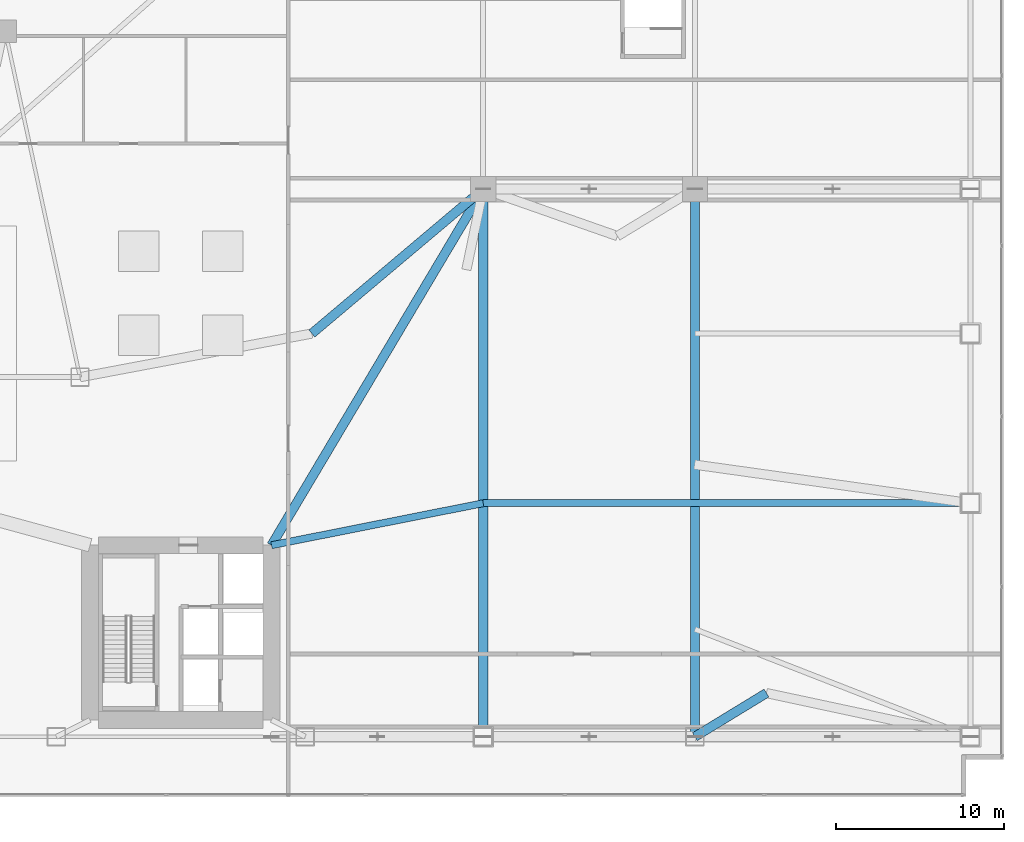
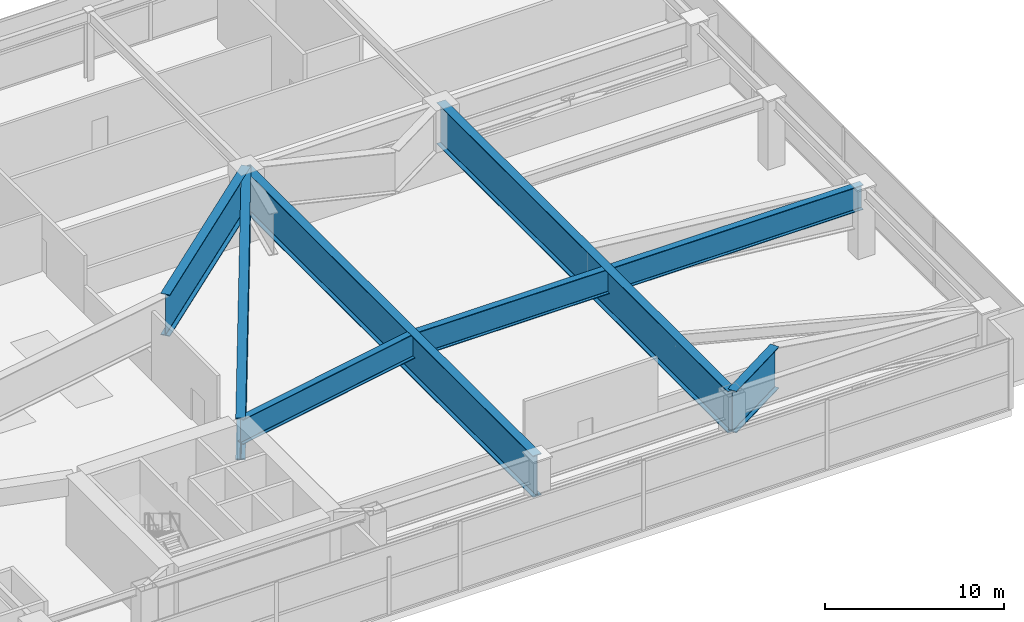
# One storey, part 13 of 36: 7 beams.
"""IFC4 building model written with IfcOpenShell, lengths in metres."""

import ifcopenshell
import ifcopenshell.guid

model = None  # the IFC model being written
_history = None  # IfcOwnerHistory: only IFC2X3 demands one
_inside = {}  # id of a spatial element -> (the spatial element, [elements in it])
_under = {}  # id of a project, library or spatial element -> (it, [spatial elements below it])
_declared = {}  # id of a project -> (the project, [libraries it declares])
_typed = {}  # id of a type object -> (the type object, [elements of that type])
_made_of = {}  # id of a material, layer set ... -> (it, [elements and type objects made of it])


def new_model(schema):
    """Start an empty IFC model of exactly this schema.

    Asked for "IFC4X3", IfcOpenShell would pick the latest addendum, in which some entities
    have other attributes; the version numbers below select the first issue.
    IFC2X3 requires an IfcOwnerHistory on every rooted entity: one is made here for all.
    """
    global model, _history
    if schema == "IFC4X3":
        model = ifcopenshell.file(schema_version=(4, 3, 0, 0))
    else:
        model = ifcopenshell.file(schema=schema)
    _inside.clear()
    _under.clear()
    _declared.clear()
    _typed.clear()
    _made_of.clear()
    _history = None
    if model.schema == "IFC2X3":
        org = make("IfcOrganization", Name="unknown")
        user = make(
            "IfcPersonAndOrganization",
            ThePerson=make("IfcPerson", FamilyName="unknown"),
            TheOrganization=org,
        )
        app = make(
            "IfcApplication",
            ApplicationDeveloper=org,
            Version="unknown",
            ApplicationFullName="unknown",
            ApplicationIdentifier="unknown",
        )
        _history = make(
            "IfcOwnerHistory",
            OwningUser=user,
            OwningApplication=app,
            ChangeAction="ADDED",
            CreationDate=0,
        )
    return model


def make(cls, **values):
    """One entity of the class cls with the attributes given. An attribute that is None is left unset."""
    return model.create_entity(
        cls, **{name: value for name, value in values.items() if value is not None}
    )


def rooted(cls, **values):
    """An entity with a GlobalId (a new one), such as an element, a storey or a relation."""
    return make(cls, GlobalId=ifcopenshell.guid.new(), OwnerHistory=_history, **values)


def si_unit(unit_type, name, prefix=None):
    """IfcSIUnit, for example si_unit("LENGTHUNIT", "METRE", prefix="MILLI")."""
    return make("IfcSIUnit", UnitType=unit_type, Prefix=prefix, Name=name)


def assignment(units):
    """IfcUnitAssignment: the units of a project."""
    return None if units is None else make("IfcUnitAssignment", Units=units)


def point(xyz):
    """IfcCartesianPoint."""
    return None if xyz is None else make("IfcCartesianPoint", Coordinates=xyz)


def direction(xyz):
    """IfcDirection."""
    return None if xyz is None else make("IfcDirection", DirectionRatios=xyz)


def frame(location, z_axis=None, x_axis=None):
    """IfcAxis2Placement3D, a coordinate frame: its origin and axes. An axis left out is left unset."""
    return make(
        "IfcAxis2Placement3D",
        Location=point(location),
        Axis=direction(z_axis),
        RefDirection=direction(x_axis),
    )


def frame_2d(location, x_axis=None):
    """IfcAxis2Placement2D, a coordinate frame in the plane: its origin and x axis."""
    return make(
        "IfcAxis2Placement2D", Location=point(location), RefDirection=direction(x_axis)
    )


def origin():
    """The frame at (0, 0, 0) with its axes left unset."""
    return frame((0.0, 0.0, 0.0))


def origin_2d():
    """The frame at (0, 0) in the plane with its x axis left unset."""
    return frame_2d((0.0, 0.0))


def place(relative_to, where):
    """IfcLocalPlacement: puts the frame where relative to a parent placement (None: the world)."""
    return make(
        "IfcLocalPlacement", PlacementRelTo=relative_to, RelativePlacement=where
    )


def context(
    kind, dimensions, precision=None, world=None, true_north=None, identifier=None
):
    """IfcGeometricRepresentationContext, for example the 3D "Model" context."""
    return make(
        "IfcGeometricRepresentationContext",
        ContextIdentifier=identifier,
        ContextType=kind,
        CoordinateSpaceDimension=dimensions,
        Precision=precision,
        WorldCoordinateSystem=world,
        TrueNorth=true_north,
    )


def subcontext(parent, identifier, kind, view, scale=None):
    """IfcGeometricRepresentationSubContext, for example "Body" below "Model"."""
    return make(
        "IfcGeometricRepresentationSubContext",
        ContextIdentifier=identifier,
        ContextType=kind,
        ParentContext=parent,
        TargetScale=scale,
        TargetView=view,
    )


def project(units=None, contexts=None):
    """IfcProject with its units and contexts."""
    return rooted(
        "IfcProject",
        Name="project",
        RepresentationContexts=contexts,
        UnitsInContext=assignment(units),
    )


def spatial(cls, under=None, at=None, **own):
    """A site, building, storey or space (cls), placed at a placement, below another one or the project."""
    s = rooted(cls, ObjectPlacement=at, **own)
    if under is not None:
        _under.setdefault(under.id(), (under, []))[1].append(s)
    return s


def profile(cls, at=None, kind="AREA", **sizes):
    """A parametric profile (cls). Its sizes go by their IFC names, for example OverallWidth=200.0."""
    return make(cls, ProfileType=kind, Position=at, **sizes)


def i_section(**sizes):
    """IfcIShapeProfileDef."""
    return profile("IfcIShapeProfileDef", **sizes)


def extrude(swept, where, along, depth):
    """IfcExtrudedAreaSolid: the profile swept, set in the frame where, extruded along a direction by depth."""
    return make(
        "IfcExtrudedAreaSolid",
        SweptArea=swept,
        Position=where,
        ExtrudedDirection=direction(along),
        Depth=depth,
    )


def shape(context_of_items, identifier, shape_type, items):
    """IfcShapeRepresentation: the items that make up one representation, for example the "Body"."""
    return make(
        "IfcShapeRepresentation",
        ContextOfItems=context_of_items,
        RepresentationIdentifier=identifier,
        RepresentationType=shape_type,
        Items=items,
    )


def material(Name=None, Category=None):
    """IfcMaterial."""
    return make("IfcMaterial", Name=Name, Category=Category)


def material_profile(
    of_material, cross_section, Name=None, Category=None, Priority=None
):
    """IfcMaterialProfile: a cross section and its material."""
    return make(
        "IfcMaterialProfile",
        Name=Name,
        Material=of_material,
        Profile=cross_section,
        Priority=Priority,
        Category=Category,
    )


def profile_set(profiles, Name=None, composite=None):
    """IfcMaterialProfileSet."""
    return make(
        "IfcMaterialProfileSet",
        Name=Name,
        MaterialProfiles=profiles,
        CompositeProfile=composite,
    )


def made_of(thing, what):
    """Note that an element or type object is made of a material, layer set ...; save() writes the relation."""
    if what is not None:
        _made_of.setdefault(what.id(), (what, []))[1].append(thing)
    return thing


def type_object(cls, material=None, **own):
    """A type object (cls), such as IfcWallType, which elements share."""
    return made_of(rooted(cls, **own), material)


def element(
    cls,
    number,
    at=None,
    inside=None,
    cuts=None,
    type_object=None,
    material=None,
    context=None,
    identifier="Body",
    shape_type=None,
    held_by="IfcProductDefinitionShape",
    body=None,
    shapes=None,
    **own,
):
    """One element of the class cls, such as IfcWall. Its Tag is "e" and its number.

    at: its placement. inside: the storey or other place that contains it. cuts: it is an
    opening in that element (IfcRelVoidsElement). A single representation is given by context,
    identifier, shape_type and body (its items); several are given by shapes. held_by: the class
    of the entity that holds the representations. save() writes the other relations.
    """
    e = rooted(cls, Tag="e%d" % number, ObjectPlacement=at, **own)
    if body is not None:
        shapes = [shape(context, identifier, shape_type, body)]
    if shapes is not None:
        e.Representation = make(held_by, Representations=shapes)
    if inside is not None:
        _inside.setdefault(inside.id(), (inside, []))[1].append(e)
    if cuts is not None:
        rooted(
            "IfcRelVoidsElement", RelatingBuildingElement=cuts, RelatedOpeningElement=e
        )
    if type_object is not None:
        _typed.setdefault(type_object.id(), (type_object, []))[1].append(e)
    return made_of(e, material)


def aggregate(whole, parts):
    """IfcRelAggregates: a whole, such as a stair, and the parts it consists of."""
    return rooted("IfcRelAggregates", RelatingObject=whole, RelatedObjects=parts)


def save(model, path):
    """Write the relations noted so far, then the file.

    IfcRelAggregates (storeys below a building ...), IfcRelContainedInSpatialStructure (elements
    in a storey), IfcRelDefinesByType, IfcRelAssociatesMaterial and IfcRelDeclares: one each for
    every whole, place, type object, material and project.
    """
    for whole, parts in _under.values():
        aggregate(whole, parts)
    for where, things in _inside.values():
        rooted(
            "IfcRelContainedInSpatialStructure",
            RelatedElements=things,
            RelatingStructure=where,
        )
    for kind, things in _typed.values():
        rooted("IfcRelDefinesByType", RelatedObjects=things, RelatingType=kind)
    for what, things in _made_of.values():
        rooted("IfcRelAssociatesMaterial", RelatedObjects=things, RelatingMaterial=what)
    for by, libraries in _declared.values():
        rooted("IfcRelDeclares", RelatingContext=by, RelatedDefinitions=libraries)
    model.write(path)


model = new_model("IFC4")

# Units and contexts
model_context = context("Model", 3, precision=1e-05, world=origin(), true_north=direction((0.0, 1.0)))
body_context = subcontext(model_context, "Body", "Model", "MODEL_VIEW")
ifc_project = project(units=[si_unit("LENGTHUNIT", "METRE"), si_unit("AREAUNIT", "SQUARE_METRE"), si_unit("VOLUMEUNIT", "CUBIC_METRE"), si_unit("PLANEANGLEUNIT", "RADIAN"), si_unit("MASSUNIT", "GRAM", prefix="KILO")], contexts=[model_context])

# Site, building, storey
site_placement = place(None, origin())
site = spatial("IfcSite", under=ifc_project, at=site_placement, CompositionType="ELEMENT")
building_placement = place(site_placement, origin())
building = spatial("IfcBuilding", under=site, at=building_placement, Name="Calvorn Quay Hotel", CompositionType="ELEMENT")
storey_placement = place(building_placement, frame((0.0, 0.0, 22.0)))
storey = spatial("IfcBuildingStorey", under=building, at=storey_placement, Name="L04", CompositionType="ELEMENT", Elevation=22.0)

# Beams
ifc_material_1 = material(Name="Steel Q420GJC", Category="steel")
ifc_material_profile_1 = material_profile(ifc_material_1, i_section(OverallWidth=0.550048828125, OverallDepth=2.85009765625, WebThickness=0.031982421875, FlangeThickness=0.050048828125, FilletRadius=0.028076171875, at=origin_2d()), Name="HW2850x550x32x50")
ifc_profile_set_1 = profile_set([ifc_material_profile_1], Name="Steel Q420GJC")
beam_type_1 = type_object("IfcBeamType", Name="BM-XFER-MEGA", PredefinedType="BEAM", material=ifc_profile_set_1)
for number, where, z_axis, x_axis, name in (
    (1, (45.0, 3.60009765625, 3.31494140625), (0.0, 1.0, 0.0), (-1.0, 0.0, 0.0), "Beam BTG-L04-45"),
    (2, (57.60009765625, 3.60009765625, 3.31494140625), (0.0, 1.0, 0.0), (-1.0, 0.0, 0.0), "Beam BTG-L04-57"),
):
    element("IfcBeam", number, at=place(storey_placement, frame(where, z_axis=z_axis, x_axis=x_axis)), inside=storey, type_object=beam_type_1, Name=name, PredefinedType="BEAM", context=body_context, shape_type="SweptSolid", body=[
        extrude(i_section(OverallWidth=0.550048828125, OverallDepth=2.85009765625, WebThickness=0.031982421875, FlangeThickness=0.050048828125, FilletRadius=0.028076171875, at=origin_2d()), origin(), (0.0, 0.0, 1.0), 32.599853515625),
    ])
beam_1_placement = place(storey_placement, frame((32.39990234375, 15.0, 3.31494140625), z_axis=(0.510917247409, 0.859629900771, 0.0), x_axis=(-0.859629900771, 0.510917247409, 0.0)))
element("IfcBeam", 3, at=beam_1_placement, inside=storey, type_object=beam_type_1, Name="Beam BTG-L04-N1", PredefinedType="BEAM", context=body_context, shape_type="SweptSolid", body=[
    extrude(i_section(OverallWidth=0.550048828125, OverallDepth=2.85009765625, WebThickness=0.031982421875, FlangeThickness=0.050048828125, FilletRadius=0.028076171875, at=origin_2d()), origin(), (0.0, 0.0, 1.0), 24.66162109375),
])
beam_2_placement = place(storey_placement, frame((34.800048828125, 27.60009765625, 3.31494140625), z_axis=(0.764526212904, 0.644592638635, 0.0), x_axis=(-0.644592638635, 0.764526212904, 0.0)))
element("IfcBeam", 4, at=beam_2_placement, inside=storey, type_object=beam_type_1, Name="Beam BTG-L04-C-NC1B", PredefinedType="BEAM", context=body_context, shape_type="SweptSolid", body=[
    extrude(i_section(OverallWidth=0.550048828125, OverallDepth=2.85009765625, WebThickness=0.031982421875, FlangeThickness=0.050048828125, FilletRadius=0.028076171875, at=origin_2d()), origin(), (0.0, 0.0, 1.0), 13.341552734375),
])
beam_3_placement = place(storey_placement, frame((57.60009765625, 3.60009765625, 3.31494140625), z_axis=(0.853645546466, 0.520854376, 0.0), x_axis=(-0.520854376, 0.853645546466, 0.0)))
element("IfcBeam", 5, at=beam_3_placement, inside=storey, type_object=beam_type_1, Name="Beam BTG-L04-C-ET1A", PredefinedType="BEAM", context=body_context, shape_type="SweptSolid", body=[
    extrude(i_section(OverallWidth=0.550048828125, OverallDepth=2.85009765625, WebThickness=0.031982421875, FlangeThickness=0.050048828125, FilletRadius=0.028076171875, at=origin_2d()), origin(), (0.0, 0.0, 1.0), 4.991455078125),
])
ifc_material_2 = material(Name="Steel Q420GJC", Category="steel")
ifc_material_profile_2 = material_profile(ifc_material_2, i_section(OverallWidth=0.419921875, OverallDepth=1.699951171875, WebThickness=0.02392578125, FlangeThickness=0.0419921875, FilletRadius=0.02392578125, at=origin_2d()), Name="HN1700x420x24x42")
ifc_profile_set_2 = profile_set([ifc_material_profile_2], Name="Steel Q420GJC")
beam_type_2 = type_object("IfcBeamType", Name="BM-XFER-SAWTOOTH", PredefinedType="BEAM", material=ifc_profile_set_2)
beam_4_placement = place(storey_placement, frame((32.39990234375, 15.0, 3.889892578125), z_axis=(0.980879234435, 0.19461738734, 0.0), x_axis=(-0.19461738734, 0.980879234435, 0.0)))
element("IfcBeam", 6, at=beam_4_placement, inside=storey, type_object=beam_type_2, Name="Beam BTG-L04-M1", PredefinedType="BEAM", context=body_context, shape_type="SweptSolid", body=[
    extrude(i_section(OverallWidth=0.419921875, OverallDepth=1.699951171875, WebThickness=0.02392578125, FlangeThickness=0.0419921875, FilletRadius=0.02392578125, at=origin_2d()), origin(), (0.0, 0.0, 1.0), 12.845703125),
])
beam_5_placement = place(storey_placement, frame((45.0, 17.5, 3.889892578125), z_axis=(1.0, 0.0, 0.0), x_axis=(0.0, 1.0, 0.0)))
element("IfcBeam", 7, at=beam_5_placement, inside=storey, type_object=beam_type_2, Name="Beam BTG-L04-M2", PredefinedType="BEAM", context=body_context, shape_type="SweptSolid", body=[
    extrude(i_section(OverallWidth=0.419921875, OverallDepth=1.699951171875, WebThickness=0.02392578125, FlangeThickness=0.0419921875, FilletRadius=0.02392578125, at=origin_2d()), origin(), (0.0, 0.0, 1.0), 29.0),
])

save(model, "model.ifc")
